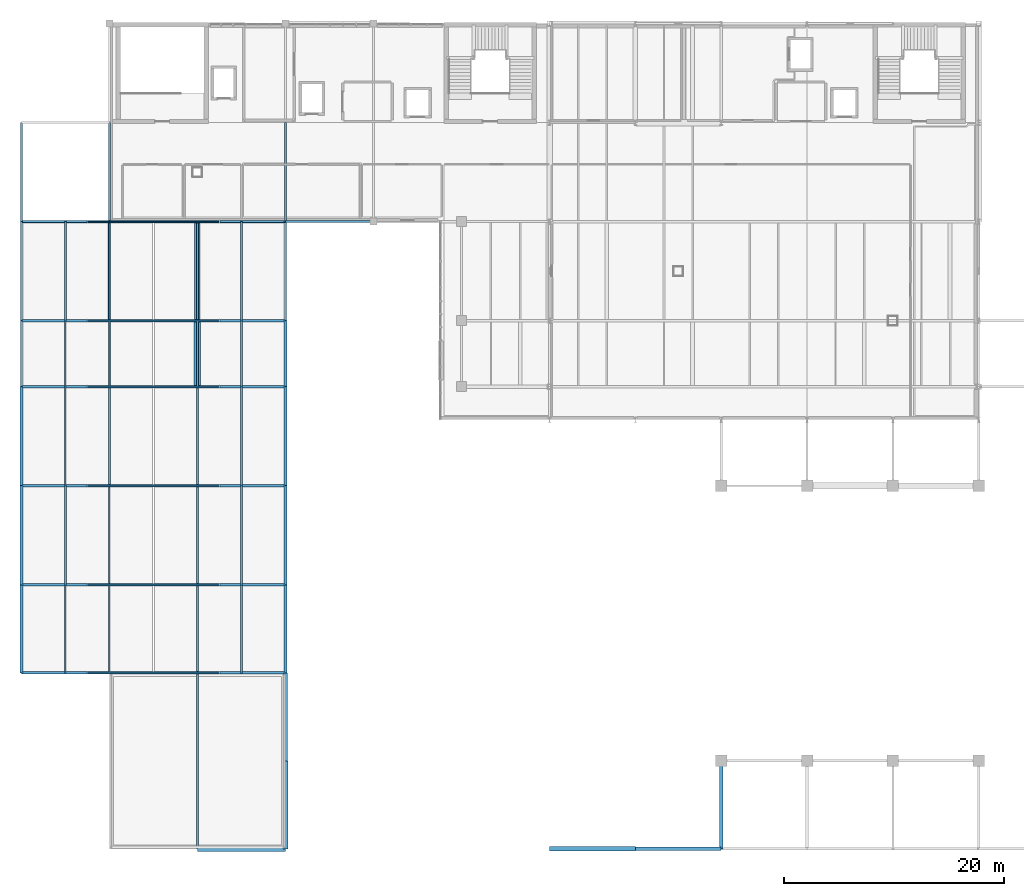
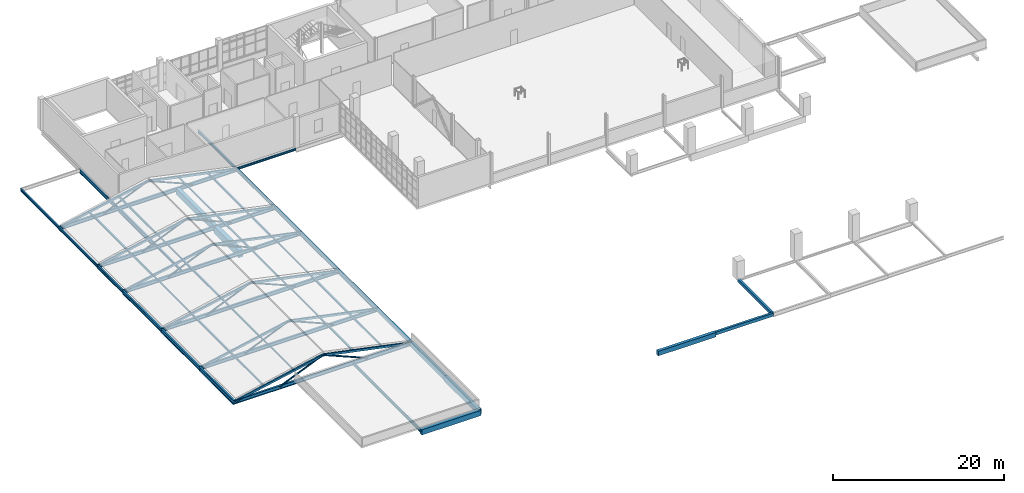
# One storey, part 8 of 38: 44 members, 31 beams.
"""IFC4 building model written with IfcOpenShell, lengths in metres."""

import ifcopenshell
import ifcopenshell.guid

model = None  # the IFC model being written
_history = None  # IfcOwnerHistory: only IFC2X3 demands one
_inside = {}  # id of a spatial element -> (the spatial element, [elements in it])
_under = {}  # id of a project, library or spatial element -> (it, [spatial elements below it])
_declared = {}  # id of a project -> (the project, [libraries it declares])
_typed = {}  # id of a type object -> (the type object, [elements of that type])
_made_of = {}  # id of a material, layer set ... -> (it, [elements and type objects made of it])


def new_model(schema):
    """Start an empty IFC model of exactly this schema.

    Asked for "IFC4X3", IfcOpenShell would pick the latest addendum, in which some entities
    have other attributes; the version numbers below select the first issue.
    IFC2X3 requires an IfcOwnerHistory on every rooted entity: one is made here for all.
    """
    global model, _history
    if schema == "IFC4X3":
        model = ifcopenshell.file(schema_version=(4, 3, 0, 0))
    else:
        model = ifcopenshell.file(schema=schema)
    _inside.clear()
    _under.clear()
    _declared.clear()
    _typed.clear()
    _made_of.clear()
    _history = None
    if model.schema == "IFC2X3":
        org = make("IfcOrganization", Name="unknown")
        user = make(
            "IfcPersonAndOrganization",
            ThePerson=make("IfcPerson", FamilyName="unknown"),
            TheOrganization=org,
        )
        app = make(
            "IfcApplication",
            ApplicationDeveloper=org,
            Version="unknown",
            ApplicationFullName="unknown",
            ApplicationIdentifier="unknown",
        )
        _history = make(
            "IfcOwnerHistory",
            OwningUser=user,
            OwningApplication=app,
            ChangeAction="ADDED",
            CreationDate=0,
        )
    return model


def make(cls, **values):
    """One entity of the class cls with the attributes given. An attribute that is None is left unset."""
    return model.create_entity(
        cls, **{name: value for name, value in values.items() if value is not None}
    )


def rooted(cls, **values):
    """An entity with a GlobalId (a new one), such as an element, a storey or a relation."""
    return make(cls, GlobalId=ifcopenshell.guid.new(), OwnerHistory=_history, **values)


def si_unit(unit_type, name, prefix=None):
    """IfcSIUnit, for example si_unit("LENGTHUNIT", "METRE", prefix="MILLI")."""
    return make("IfcSIUnit", UnitType=unit_type, Prefix=prefix, Name=name)


def derived_unit(unit_type, elements):
    """IfcDerivedUnit: a product of units, each with its exponent."""
    return make(
        "IfcDerivedUnit",
        Elements=[
            make("IfcDerivedUnitElement", Unit=unit, Exponent=power)
            for unit, power in elements
        ],
        UnitType=unit_type,
    )


def assignment(units):
    """IfcUnitAssignment: the units of a project."""
    return None if units is None else make("IfcUnitAssignment", Units=units)


def point(xyz):
    """IfcCartesianPoint."""
    return None if xyz is None else make("IfcCartesianPoint", Coordinates=xyz)


def direction(xyz):
    """IfcDirection."""
    return None if xyz is None else make("IfcDirection", DirectionRatios=xyz)


def frame(location, z_axis=None, x_axis=None):
    """IfcAxis2Placement3D, a coordinate frame: its origin and axes. An axis left out is left unset."""
    return make(
        "IfcAxis2Placement3D",
        Location=point(location),
        Axis=direction(z_axis),
        RefDirection=direction(x_axis),
    )


def frame_2d(location, x_axis=None):
    """IfcAxis2Placement2D, a coordinate frame in the plane: its origin and x axis."""
    return make(
        "IfcAxis2Placement2D", Location=point(location), RefDirection=direction(x_axis)
    )


def origin():
    """The frame at (0, 0, 0) with its axes left unset."""
    return frame((0.0, 0.0, 0.0))


def origin_2d():
    """The frame at (0, 0) in the plane with its x axis left unset."""
    return frame_2d((0.0, 0.0))


def place(relative_to, where):
    """IfcLocalPlacement: puts the frame where relative to a parent placement (None: the world)."""
    return make(
        "IfcLocalPlacement", PlacementRelTo=relative_to, RelativePlacement=where
    )


def context(
    kind, dimensions, precision=None, world=None, true_north=None, identifier=None
):
    """IfcGeometricRepresentationContext, for example the 3D "Model" context."""
    return make(
        "IfcGeometricRepresentationContext",
        ContextIdentifier=identifier,
        ContextType=kind,
        CoordinateSpaceDimension=dimensions,
        Precision=precision,
        WorldCoordinateSystem=world,
        TrueNorth=true_north,
    )


def subcontext(parent, identifier, kind, view, scale=None):
    """IfcGeometricRepresentationSubContext, for example "Body" below "Model"."""
    return make(
        "IfcGeometricRepresentationSubContext",
        ContextIdentifier=identifier,
        ContextType=kind,
        ParentContext=parent,
        TargetScale=scale,
        TargetView=view,
    )


def project(units=None, contexts=None):
    """IfcProject with its units and contexts."""
    return rooted(
        "IfcProject",
        Name="project",
        RepresentationContexts=contexts,
        UnitsInContext=assignment(units),
    )


def spatial(cls, under=None, at=None, **own):
    """A site, building, storey or space (cls), placed at a placement, below another one or the project."""
    s = rooted(cls, ObjectPlacement=at, **own)
    if under is not None:
        _under.setdefault(under.id(), (under, []))[1].append(s)
    return s


def profile(cls, at=None, kind="AREA", **sizes):
    """A parametric profile (cls). Its sizes go by their IFC names, for example OverallWidth=200.0."""
    return make(cls, ProfileType=kind, Position=at, **sizes)


def rectangle(**sizes):
    """IfcRectangleProfileDef."""
    return profile("IfcRectangleProfileDef", **sizes)


def hollow_rectangle(**sizes):
    """IfcRectangleHollowProfileDef."""
    return profile("IfcRectangleHollowProfileDef", **sizes)


def hollow_circle(**sizes):
    """IfcCircleHollowProfileDef."""
    return profile("IfcCircleHollowProfileDef", **sizes)


def i_section(**sizes):
    """IfcIShapeProfileDef."""
    return profile("IfcIShapeProfileDef", **sizes)


def extrude(swept, where, along, depth):
    """IfcExtrudedAreaSolid: the profile swept, set in the frame where, extruded along a direction by depth."""
    return make(
        "IfcExtrudedAreaSolid",
        SweptArea=swept,
        Position=where,
        ExtrudedDirection=direction(along),
        Depth=depth,
    )


def shape(context_of_items, identifier, shape_type, items):
    """IfcShapeRepresentation: the items that make up one representation, for example the "Body"."""
    return make(
        "IfcShapeRepresentation",
        ContextOfItems=context_of_items,
        RepresentationIdentifier=identifier,
        RepresentationType=shape_type,
        Items=items,
    )


def material(Name=None, Category=None):
    """IfcMaterial."""
    return make("IfcMaterial", Name=Name, Category=Category)


def material_profile(
    of_material, cross_section, Name=None, Category=None, Priority=None
):
    """IfcMaterialProfile: a cross section and its material."""
    return make(
        "IfcMaterialProfile",
        Name=Name,
        Material=of_material,
        Profile=cross_section,
        Priority=Priority,
        Category=Category,
    )


def profile_set(profiles, Name=None, composite=None):
    """IfcMaterialProfileSet."""
    return make(
        "IfcMaterialProfileSet",
        Name=Name,
        MaterialProfiles=profiles,
        CompositeProfile=composite,
    )


def made_of(thing, what):
    """Note that an element or type object is made of a material, layer set ...; save() writes the relation."""
    if what is not None:
        _made_of.setdefault(what.id(), (what, []))[1].append(thing)
    return thing


def type_object(cls, material=None, **own):
    """A type object (cls), such as IfcWallType, which elements share."""
    return made_of(rooted(cls, **own), material)


def element(
    cls,
    number,
    at=None,
    inside=None,
    cuts=None,
    type_object=None,
    material=None,
    context=None,
    identifier="Body",
    shape_type=None,
    held_by="IfcProductDefinitionShape",
    body=None,
    shapes=None,
    **own,
):
    """One element of the class cls, such as IfcWall. Its Tag is "e" and its number.

    at: its placement. inside: the storey or other place that contains it. cuts: it is an
    opening in that element (IfcRelVoidsElement). A single representation is given by context,
    identifier, shape_type and body (its items); several are given by shapes. held_by: the class
    of the entity that holds the representations. save() writes the other relations.
    """
    e = rooted(cls, Tag="e%d" % number, ObjectPlacement=at, **own)
    if body is not None:
        shapes = [shape(context, identifier, shape_type, body)]
    if shapes is not None:
        e.Representation = make(held_by, Representations=shapes)
    if inside is not None:
        _inside.setdefault(inside.id(), (inside, []))[1].append(e)
    if cuts is not None:
        rooted(
            "IfcRelVoidsElement", RelatingBuildingElement=cuts, RelatedOpeningElement=e
        )
    if type_object is not None:
        _typed.setdefault(type_object.id(), (type_object, []))[1].append(e)
    return made_of(e, material)


def aggregate(whole, parts):
    """IfcRelAggregates: a whole, such as a stair, and the parts it consists of."""
    return rooted("IfcRelAggregates", RelatingObject=whole, RelatedObjects=parts)


def save(model, path):
    """Write the relations noted so far, then the file.

    IfcRelAggregates (storeys below a building ...), IfcRelContainedInSpatialStructure (elements
    in a storey), IfcRelDefinesByType, IfcRelAssociatesMaterial and IfcRelDeclares: one each for
    every whole, place, type object, material and project.
    """
    for whole, parts in _under.values():
        aggregate(whole, parts)
    for where, things in _inside.values():
        rooted(
            "IfcRelContainedInSpatialStructure",
            RelatedElements=things,
            RelatingStructure=where,
        )
    for kind, things in _typed.values():
        rooted("IfcRelDefinesByType", RelatedObjects=things, RelatingType=kind)
    for what, things in _made_of.values():
        rooted("IfcRelAssociatesMaterial", RelatedObjects=things, RelatingMaterial=what)
    for by, libraries in _declared.values():
        rooted("IfcRelDeclares", RelatingContext=by, RelatedDefinitions=libraries)
    model.write(path)


model = new_model("IFC4")

# Units and contexts
model_context = context("Model", 3, precision=1e-05, world=origin(), true_north=direction((0.0, 1.0)))
body_context = subcontext(model_context, "Body", "Model", "MODEL_VIEW")
ifc_project = project(units=[si_unit("LENGTHUNIT", "METRE"), si_unit("AREAUNIT", "SQUARE_METRE"), si_unit("VOLUMEUNIT", "CUBIC_METRE"), si_unit("PLANEANGLEUNIT", "RADIAN"), si_unit("MASSUNIT", "GRAM", prefix="KILO"), derived_unit("THERMALTRANSMITTANCEUNIT", [(si_unit("POWERUNIT", "WATT"), 1), (si_unit("LENGTHUNIT", "METRE"), -2), (si_unit("THERMODYNAMICTEMPERATUREUNIT", "KELVIN"), -1)])], contexts=[model_context])

# Site, building, storey
site_placement = place(None, origin())
site = spatial("IfcSite", under=ifc_project, at=site_placement, CompositionType="ELEMENT")
building_placement = place(site_placement, origin())
building = spatial("IfcBuilding", under=site, at=building_placement, Name="Nallur Shell Playhouse", CompositionType="ELEMENT")
storey_placement = place(building_placement, frame((0.0, 0.0, 24.300048828125)))
storey = spatial("IfcBuildingStorey", under=building, at=storey_placement, Name="L06", CompositionType="ELEMENT", Elevation=24.300048828125)

# Beams
ifc_material_1 = material(Name="Concrete M35", Category="concrete")
ifc_material_profile_1 = material_profile(ifc_material_1, rectangle(XDim=0.39990234375, YDim=0.64990234375, at=origin_2d()), Name="RC 400x650")
ifc_profile_set_1 = profile_set([ifc_material_profile_1], Name="Concrete M35")
beam_type_1 = type_object("IfcBeamType", Name="BM-RC-400x650", PredefinedType="BEAM", material=ifc_profile_set_1)
beam_1_placement = place(storey_placement, frame((64.0, 8.0, -0.574951171875), z_axis=(1.0, 0.0, 0.0), x_axis=(0.0, 1.0, 0.0)))
element("IfcBeam", 1, at=beam_1_placement, inside=storey, type_object=beam_type_1, Name="L06 girder X-A-1119", PredefinedType="BEAM", context=body_context, shape_type="SweptSolid", body=[
    extrude(rectangle(XDim=0.39990234375, YDim=0.64990234375, at=origin_2d()), origin(), (0.0, 0.0, 1.0), 7.800048828125),
])
beam_2_placement = place(storey_placement, frame((40.0, 16.0, -0.574951171875), z_axis=(0.0, 1.0, 0.0), x_axis=(-1.0, 0.0, 0.0)))
element("IfcBeam", 2, at=beam_2_placement, inside=storey, type_object=beam_type_1, Name="L06 girder Y-5-1167", PredefinedType="BEAM", context=body_context, shape_type="SweptSolid", body=[
    extrude(rectangle(XDim=0.39990234375, YDim=0.64990234375, at=origin_2d()), origin(), (0.0, 0.0, 1.0), 8.0),
])
ifc_material_profile_2 = material_profile(ifc_material_1, rectangle(XDim=0.449951171875, YDim=0.75, at=origin_2d()), Name="RC 450x750")
ifc_profile_set_2 = profile_set([ifc_material_profile_2], Name="Concrete M35")
beam_type_2 = type_object("IfcBeamType", Name="BM-RC-450x750", PredefinedType="BEAM", material=ifc_profile_set_2)
for number, where, z_axis, x_axis, name in (
    (3, (32.0, 8.0, -0.625), (1.0, 0.0, 0.0), (0.0, 1.0, 0.0), "L06 girder X-A-1118"),
    (4, (40.0, 8.0, -0.625), (0.0, 1.0, 0.0), (-1.0, 0.0, 0.0), "L06 girder Y-5-1166"),
):
    element("IfcBeam", number, at=place(storey_placement, frame(where, z_axis=z_axis, x_axis=x_axis)), inside=storey, type_object=beam_type_2, Name=name, PredefinedType="BEAM", context=body_context, shape_type="SweptSolid", body=[
        extrude(rectangle(XDim=0.449951171875, YDim=0.75, at=origin_2d()), origin(), (0.0, 0.0, 1.0), 8.0),
    ])
ifc_material_2 = material(Name="Concrete M40", Category="concrete")
ifc_material_profile_3 = material_profile(ifc_material_2, rectangle(XDim=0.5, YDim=0.85009765625, at=origin_2d()), Name="RC 500x850")
ifc_profile_set_3 = profile_set([ifc_material_profile_3], Name="Concrete M40")
beam_type_3 = type_object("IfcBeamType", Name="BM-RC-500x850", PredefinedType="BEAM", material=ifc_profile_set_3)
beam_3_placement = place(storey_placement, frame((32.0, 56.123046875, -0.675048828125), z_axis=(0.0, 1.0, 0.0), x_axis=(-1.0, 0.0, 0.0)))
element("IfcBeam", 5, at=beam_3_placement, inside=storey, type_object=beam_type_3, Name="L06 girder Y-4-1165", PredefinedType="BEAM", context=body_context, shape_type="SweptSolid", body=[
    extrude(rectangle(XDim=0.5, YDim=0.85009765625, at=origin_2d()), origin(), (0.0, 0.0, 1.0), 8.75390625),
])
ifc_material_profile_4 = material_profile(ifc_material_2, rectangle(XDim=0.60009765625, YDim=1.0, at=origin_2d()), Name="RC 600x1000")
ifc_profile_set_4 = profile_set([ifc_material_profile_4], Name="Concrete M40")
beam_type_4 = type_object("IfcBeamType", Name="BM-RC-600x1000", PredefinedType="BEAM", material=ifc_profile_set_4)
beam_4_placement = place(storey_placement, frame((32.0, 50.123046875, -0.75), z_axis=(0.0, 1.0, 0.0), x_axis=(-1.0, 0.0, 0.0)))
element("IfcBeam", 6, at=beam_4_placement, inside=storey, type_object=beam_type_4, Name="L06 girder Y-4-1164", PredefinedType="BEAM", context=body_context, shape_type="SweptSolid", body=[
    extrude(rectangle(XDim=0.60009765625, YDim=1.0, at=origin_2d()), origin(), (0.0, 0.0, 1.0), 5.75390625),
])
ifc_material_profile_5 = material_profile(ifc_material_1, rectangle(XDim=0.300048828125, YDim=0.449951171875, at=origin_2d()), Name="RC 300x450")
ifc_profile_set_5 = profile_set([ifc_material_profile_5], Name="Concrete M35")
beam_type_5 = type_object("IfcBeamType", Name="BM-SPN-300x450", PredefinedType="SPANDREL", material=ifc_profile_set_5)
beam_5_placement = place(storey_placement, frame((71.800048828125, 8.0, -0.47509765625), z_axis=(1.0, 0.0, 0.0), x_axis=(0.0, 1.0, 0.0)))
element("IfcBeam", 7, at=beam_5_placement, inside=storey, type_object=beam_type_5, Name="L06 girder X-A-1120", PredefinedType="SPANDREL", context=body_context, shape_type="SweptSolid", body=[
    extrude(rectangle(XDim=0.300048828125, YDim=0.449951171875, at=origin_2d()), origin(), (0.0, 0.0, 1.0), 7.800048828125),
])
for number, where, z_axis, x_axis, name in (
    (8, (40.0, 24.0, -0.47509765625), (0.0, 1.0, 0.0), (-1.0, 0.0, 0.0), "L06 girder Y-5-1168"),
    (9, (79.60009765625, 8.0, -0.47509765625), (0.0, 1.0, 0.0), (-1.0, 0.0, 0.0), "L06 girder Y-10-1184"),
):
    element("IfcBeam", number, at=place(storey_placement, frame(where, z_axis=z_axis, x_axis=x_axis)), inside=storey, type_object=beam_type_5, Name=name, PredefinedType="SPANDREL", context=body_context, shape_type="SweptSolid", body=[
        extrude(rectangle(XDim=0.300048828125, YDim=0.449951171875, at=origin_2d()), origin(), (0.0, 0.0, 1.0), 8.0),
    ])
ifc_material_3 = material(Name="Steel E350", Category="steel")
ifc_material_profile_6 = material_profile(ifc_material_3, i_section(OverallWidth=0.14990234375, OverallDepth=0.449951171875, WebThickness=0.009521484375, FlangeThickness=0.017333984375, FilletRadius=0.014892578125, at=origin_2d()), Name="ISMB 450")
ifc_profile_set_6 = profile_set([ifc_material_profile_6], Name="Steel E350")
beam_type_6 = type_object("IfcBeamType", Name="BM-ST-ISMB450", PredefinedType="BEAM", material=ifc_profile_set_6)
beam_6_placement = place(storey_placement, frame((32.0, 8.0, -0.47509765625), z_axis=(0.0, 1.0, 0.0), x_axis=(-1.0, 0.0, 0.0)))
element("IfcBeam", 10, at=beam_6_placement, inside=storey, type_object=beam_type_6, Name="L06 girder Y-4-1163", PredefinedType="BEAM", context=body_context, shape_type="SweptSolid", body=[
    extrude(i_section(OverallWidth=0.14990234375, OverallDepth=0.449951171875, WebThickness=0.009521484375, FlangeThickness=0.017333984375, FilletRadius=0.014892578125, at=origin_2d()), origin(), (0.0, 0.0, 1.0), 15.876953125),
])
ifc_material_profile_7 = material_profile(ifc_material_3, i_section(OverallWidth=0.18994140625, OverallDepth=0.550048828125, WebThickness=0.01123046875, FlangeThickness=0.019287109375, FilletRadius=0.01806640625, at=origin_2d()), Name="ISMB 550")
ifc_profile_set_7 = profile_set([ifc_material_profile_7], Name="Steel E350")
beam_type_7 = type_object("IfcBeamType", Name="BM-ST-ISMB550", PredefinedType="BEAM", material=ifc_profile_set_7)
beam_7_placement = place(storey_placement, frame((24.0, 65.123046875, -0.525146484375), z_axis=(0.0, 1.0, 0.0), x_axis=(-1.0, 0.0, 0.0)))
element("IfcBeam", 11, at=beam_7_placement, inside=storey, type_object=beam_type_7, Name="L06 girder Y-3-1161", PredefinedType="BEAM", context=body_context, shape_type="SweptSolid", body=[
    extrude(i_section(OverallWidth=0.18994140625, OverallDepth=0.550048828125, WebThickness=0.01123046875, FlangeThickness=0.019287109375, FilletRadius=0.01806640625, at=origin_2d()), origin(), (0.0, 0.0, 1.0), 8.876953125),
])
ifc_material_profile_8 = material_profile(ifc_material_3, i_section(OverallWidth=0.2099609375, OverallDepth=0.60009765625, WebThickness=0.011962890625, FlangeThickness=0.020751953125, FilletRadius=0.02001953125, at=origin_2d()), Name="ISMB 600")
ifc_profile_set_8 = profile_set([ifc_material_profile_8], Name="Steel E350")
beam_type_8 = type_object("IfcBeamType", Name="BM-ST-ISMB600", PredefinedType="BEAM", material=ifc_profile_set_8)
beam_8_placement = place(storey_placement, frame((24.0, 56.123046875, -0.550048828125), z_axis=(0.0, 1.0, 0.0), x_axis=(-1.0, 0.0, 0.0)))
element("IfcBeam", 12, at=beam_8_placement, inside=storey, type_object=beam_type_8, Name="L06 girder Y-3-1160", PredefinedType="BEAM", context=body_context, shape_type="SweptSolid", body=[
    extrude(i_section(OverallWidth=0.2099609375, OverallDepth=0.60009765625, WebThickness=0.011962890625, FlangeThickness=0.020751953125, FilletRadius=0.02001953125, at=origin_2d()), origin(), (0.0, 0.0, 1.0), 8.75390625),
])
ifc_material_4 = material(Name="Steel E250", Category="steel")
ifc_material_profile_9 = material_profile(ifc_material_4, i_section(OverallWidth=0.199951171875, OverallDepth=0.300048828125, WebThickness=0.00732421875, FlangeThickness=0.010009765625, FilletRadius=0.010986328125, at=origin_2d()), Name="ISWB 300")
ifc_profile_set_9 = profile_set([ifc_material_profile_9], Name="Steel E250")
beam_type_9 = type_object("IfcBeamType", Name="BM-ST-ISWB300", PredefinedType="BEAM", material=ifc_profile_set_9)
beam_9_placement = place(storey_placement, frame((40.0, 65.0, -0.400146484375), z_axis=(1.0, 0.0, 0.0), x_axis=(0.0, 1.0, 0.0)))
element("IfcBeam", 13, at=beam_9_placement, inside=storey, type_object=beam_type_9, Name="L06 girder X-H-1143", PredefinedType="BEAM", context=body_context, shape_type="SweptSolid", body=[
    extrude(i_section(OverallWidth=0.199951171875, OverallDepth=0.300048828125, WebThickness=0.00732421875, FlangeThickness=0.010009765625, FilletRadius=0.010986328125, at=origin_2d()), origin(), (0.0, 0.0, 1.0), 8.0),
])
beam_10_placement = place(storey_placement, frame((24.0, 50.123046875, -0.400146484375), z_axis=(0.0, 1.0, 0.0), x_axis=(-1.0, 0.0, 0.0)))
element("IfcBeam", 14, at=beam_10_placement, inside=storey, type_object=beam_type_9, Name="L06 girder Y-3-1159", PredefinedType="BEAM", context=body_context, shape_type="SweptSolid", body=[
    extrude(i_section(OverallWidth=0.199951171875, OverallDepth=0.300048828125, WebThickness=0.00732421875, FlangeThickness=0.010009765625, FilletRadius=0.010986328125, at=origin_2d()), origin(), (0.0, 0.0, 1.0), 5.75390625),
])
ifc_material_profile_10 = material_profile(ifc_material_3, i_section(OverallWidth=0.199951171875, OverallDepth=0.35009765625, WebThickness=0.008056640625, FlangeThickness=0.011474609375, FilletRadius=0.011962890625, at=origin_2d()), Name="ISWB 350")
ifc_profile_set_10 = profile_set([ifc_material_profile_10], Name="Steel E350")
beam_type_10 = type_object("IfcBeamType", Name="BM-ST-ISWB350", PredefinedType="BEAM", material=ifc_profile_set_10)
beam_11_placement = place(storey_placement, frame((16.0, 65.0, -0.425048828125), z_axis=(0.0, 1.0, 0.0), x_axis=(-1.0, 0.0, 0.0)))
element("IfcBeam", 15, at=beam_11_placement, inside=storey, type_object=beam_type_10, Name="L06 girder Y-2-1158", PredefinedType="BEAM", context=body_context, shape_type="SweptSolid", body=[
    extrude(i_section(OverallWidth=0.199951171875, OverallDepth=0.35009765625, WebThickness=0.008056640625, FlangeThickness=0.011474609375, FilletRadius=0.011962890625, at=origin_2d()), origin(), (0.0, 0.0, 1.0), 9.0),
])
ifc_material_profile_11 = material_profile(ifc_material_3, i_section(OverallWidth=0.199951171875, OverallDepth=0.39990234375, WebThickness=0.008544921875, FlangeThickness=0.012939453125, FilletRadius=0.012939453125, at=origin_2d()), Name="ISWB 400")
ifc_profile_set_11 = profile_set([ifc_material_profile_11], Name="Steel E350")
beam_type_11 = type_object("IfcBeamType", Name="BM-ST-ISWB400", PredefinedType="BEAM", material=ifc_profile_set_11)
for number, where, z_axis, x_axis, name in (
    (16, (16.0, 56.0, -0.449951171875), (0.0, 1.0, 0.0), (-1.0, 0.0, 0.0), "L06 girder Y-2-1157"),
    (17, (40.0, 65.0, -0.449951171875), (0.0, 1.0, 0.0), (-1.0, 0.0, 0.0), "L06 girder Y-5-1173"),
):
    element("IfcBeam", number, at=place(storey_placement, frame(where, z_axis=z_axis, x_axis=x_axis)), inside=storey, type_object=beam_type_11, Name=name, PredefinedType="BEAM", context=body_context, shape_type="SweptSolid", body=[
        extrude(i_section(OverallWidth=0.199951171875, OverallDepth=0.39990234375, WebThickness=0.008544921875, FlangeThickness=0.012939453125, FilletRadius=0.012939453125, at=origin_2d()), origin(), (0.0, 0.0, 1.0), 9.0),
    ])
ifc_material_profile_12 = material_profile(ifc_material_3, i_section(OverallWidth=0.199951171875, OverallDepth=0.449951171875, WebThickness=0.00927734375, FlangeThickness=0.015380859375, FilletRadius=0.013916015625, at=origin_2d()), Name="ISWB 450")
ifc_profile_set_12 = profile_set([ifc_material_profile_12], Name="Steel E350")
beam_type_12 = type_object("IfcBeamType", Name="BM-ST-ISWB450", PredefinedType="BEAM", material=ifc_profile_set_12)
beam_12_placement = place(storey_placement, frame((16.0, 50.0, -0.47509765625), z_axis=(0.0, 1.0, 0.0), x_axis=(-1.0, 0.0, 0.0)))
element("IfcBeam", 18, at=beam_12_placement, inside=storey, type_object=beam_type_12, Name="L06 girder Y-2-1156", PredefinedType="BEAM", context=body_context, shape_type="SweptSolid", body=[
    extrude(i_section(OverallWidth=0.199951171875, OverallDepth=0.449951171875, WebThickness=0.00927734375, FlangeThickness=0.015380859375, FilletRadius=0.013916015625, at=origin_2d()), origin(), (0.0, 0.0, 1.0), 6.0),
])
beam_13_placement = place(storey_placement, frame((40.0, 56.0, -0.47509765625), z_axis=(0.0, 1.0, 0.0), x_axis=(-1.0, 0.0, 0.0)))
element("IfcBeam", 19, at=beam_13_placement, inside=storey, type_object=beam_type_12, Name="L06 girder Y-5-1172", PredefinedType="BEAM", context=body_context, shape_type="SweptSolid", body=[
    extrude(i_section(OverallWidth=0.199951171875, OverallDepth=0.449951171875, WebThickness=0.00927734375, FlangeThickness=0.015380859375, FilletRadius=0.013916015625, at=origin_2d()), origin(), (0.0, 0.0, 1.0), 9.0),
])
ifc_material_profile_13 = material_profile(ifc_material_3, i_section(OverallWidth=0.25, OverallDepth=0.5, WebThickness=0.010009765625, FlangeThickness=0.0146484375, FilletRadius=0.014892578125, at=origin_2d()), Name="ISWB 500")
ifc_profile_set_13 = profile_set([ifc_material_profile_13], Name="Steel E350")
beam_type_13 = type_object("IfcBeamType", Name="BM-ST-ISWB500", PredefinedType="BEAM", material=ifc_profile_set_13)
for number, where, z_axis, x_axis, name in (
    (20, (16.0, 24.0, -0.5), (1.0, 0.0, 0.0), (0.0, 1.0, 0.0), "ROOF TRUSS Black-Box tie girder Y=24.0 (16.0-40.0)"),
    (21, (16.0, 32.0, -0.5), (1.0, 0.0, 0.0), (0.0, 1.0, 0.0), "ROOF TRUSS Black-Box tie girder Y=32.0 (16.0-40.0)"),
    (22, (16.0, 41.0, -0.5), (1.0, 0.0, 0.0), (0.0, 1.0, 0.0), "ROOF TRUSS Black-Box tie girder Y=41.0 (16.0-40.0)"),
    (23, (16.0, 50.0, -0.5), (1.0, 0.0, 0.0), (0.0, 1.0, 0.0), "ROOF TRUSS Black-Box tie girder Y=50.0 (16.0-40.0)"),
    (24, (16.0, 56.0, -0.5), (1.0, 0.0, 0.0), (0.0, 1.0, 0.0), "ROOF TRUSS Black-Box tie girder Y=56.0 (16.0-40.0)"),
    (25, (16.0, 65.0, -0.5), (1.0, 0.0, 0.0), (0.0, 1.0, 0.0), "ROOF TRUSS Black-Box tie girder Y=65.0 (16.0-40.0)"),
):
    element("IfcBeam", number, at=place(storey_placement, frame(where, z_axis=z_axis, x_axis=x_axis)), inside=storey, type_object=beam_type_13, Name=name, PredefinedType="BEAM", context=body_context, shape_type="SweptSolid", body=[
        extrude(i_section(OverallWidth=0.25, OverallDepth=0.5, WebThickness=0.010009765625, FlangeThickness=0.0146484375, FilletRadius=0.014892578125, at=origin_2d()), origin(), (0.0, 0.0, 1.0), 24.0),
    ])
beam_14_placement = place(storey_placement, frame((16.0, 41.0, -0.5), z_axis=(0.0, 1.0, 0.0), x_axis=(-1.0, 0.0, 0.0)))
element("IfcBeam", 26, at=beam_14_placement, inside=storey, type_object=beam_type_13, Name="L06 girder Y-2-1155", PredefinedType="BEAM", context=body_context, shape_type="SweptSolid", body=[
    extrude(i_section(OverallWidth=0.25, OverallDepth=0.5, WebThickness=0.010009765625, FlangeThickness=0.0146484375, FilletRadius=0.014892578125, at=origin_2d()), origin(), (0.0, 0.0, 1.0), 9.0),
])
beam_15_placement = place(storey_placement, frame((40.0, 50.0, -0.5), z_axis=(0.0, 1.0, 0.0), x_axis=(-1.0, 0.0, 0.0)))
element("IfcBeam", 27, at=beam_15_placement, inside=storey, type_object=beam_type_13, Name="L06 girder Y-5-1171", PredefinedType="BEAM", context=body_context, shape_type="SweptSolid", body=[
    extrude(i_section(OverallWidth=0.25, OverallDepth=0.5, WebThickness=0.010009765625, FlangeThickness=0.0146484375, FilletRadius=0.014892578125, at=origin_2d()), origin(), (0.0, 0.0, 1.0), 6.0),
])
ifc_material_profile_14 = material_profile(ifc_material_3, i_section(OverallWidth=0.25, OverallDepth=0.550048828125, WebThickness=0.010498046875, FlangeThickness=0.017578125, FilletRadius=0.01611328125, at=origin_2d()), Name="ISWB 550")
ifc_profile_set_14 = profile_set([ifc_material_profile_14], Name="Steel E350")
beam_type_14 = type_object("IfcBeamType", Name="BM-ST-ISWB550", PredefinedType="BEAM", material=ifc_profile_set_14)
for number, where, z_axis, x_axis, name in (
    (28, (16.0, 32.0, -0.525146484375), (0.0, 1.0, 0.0), (-1.0, 0.0, 0.0), "L06 girder Y-2-1154"),
    (29, (40.0, 41.0, -0.525146484375), (0.0, 1.0, 0.0), (-1.0, 0.0, 0.0), "L06 girder Y-5-1170"),
):
    element("IfcBeam", number, at=place(storey_placement, frame(where, z_axis=z_axis, x_axis=x_axis)), inside=storey, type_object=beam_type_14, Name=name, PredefinedType="BEAM", context=body_context, shape_type="SweptSolid", body=[
        extrude(i_section(OverallWidth=0.25, OverallDepth=0.550048828125, WebThickness=0.010498046875, FlangeThickness=0.017578125, FilletRadius=0.01611328125, at=origin_2d()), origin(), (0.0, 0.0, 1.0), 9.0),
    ])
ifc_material_profile_15 = material_profile(ifc_material_3, i_section(OverallWidth=0.25, OverallDepth=0.60009765625, WebThickness=0.01171875, FlangeThickness=0.023681640625, FilletRadius=0.01708984375, at=origin_2d()), Name="ISWB 600")
ifc_profile_set_15 = profile_set([ifc_material_profile_15], Name="Steel E350")
beam_type_15 = type_object("IfcBeamType", Name="BM-ST-ISWB600", PredefinedType="BEAM", material=ifc_profile_set_15)
beam_16_placement = place(storey_placement, frame((16.0, 24.0, -0.550048828125), z_axis=(0.0, 1.0, 0.0), x_axis=(-1.0, 0.0, 0.0)))
element("IfcBeam", 30, at=beam_16_placement, inside=storey, type_object=beam_type_15, Name="L06 girder Y-2-1153", PredefinedType="BEAM", context=body_context, shape_type="SweptSolid", body=[
    extrude(i_section(OverallWidth=0.25, OverallDepth=0.60009765625, WebThickness=0.01171875, FlangeThickness=0.023681640625, FilletRadius=0.01708984375, at=origin_2d()), origin(), (0.0, 0.0, 1.0), 8.0),
])
beam_17_placement = place(storey_placement, frame((40.0, 32.0, -0.550048828125), z_axis=(0.0, 1.0, 0.0), x_axis=(-1.0, 0.0, 0.0)))
element("IfcBeam", 31, at=beam_17_placement, inside=storey, type_object=beam_type_15, Name="L06 girder Y-5-1169", PredefinedType="BEAM", context=body_context, shape_type="SweptSolid", body=[
    extrude(i_section(OverallWidth=0.25, OverallDepth=0.60009765625, WebThickness=0.01171875, FlangeThickness=0.023681640625, FilletRadius=0.01708984375, at=origin_2d()), origin(), (0.0, 0.0, 1.0), 9.0),
])

# Members
ifc_material_profile_16 = material_profile(ifc_material_4, i_section(OverallWidth=0.199951171875, OverallDepth=0.199951171875, WebThickness=0.0078125, FlangeThickness=0.009033203125, FilletRadius=0.009033203125, at=origin_2d()), Name="ISHB 200")
ifc_profile_set_16 = profile_set([ifc_material_profile_16], Name="Steel E250")
member_type_1 = type_object("IfcMemberType", Name="MB-PUR-ISHB200", PredefinedType="PURLIN", material=ifc_profile_set_16)
for number, where, z_axis, x_axis, name in (
    (32, (20.0, 32.0, 0.483154296875), (0.0, 1.0, 0.0), (-1.0, 0.0, 0.0), "Black-Box roof purlin PUR-BB-08"),
    (33, (20.0, 56.0, 0.483154296875), (0.0, 1.0, 0.0), (-1.0, 0.0, 0.0), "Black-Box roof purlin PUR-BB-11"),
    (34, (24.0, 41.0, 1.33349609375), (0.0, 1.0, 0.0), (-1.0, 0.0, 0.0), "Black-Box roof purlin PUR-BB-14"),
):
    element("IfcMember", number, at=place(storey_placement, frame(where, z_axis=z_axis, x_axis=x_axis)), inside=storey, type_object=member_type_1, Name=name, PredefinedType="PURLIN", context=body_context, shape_type="SweptSolid", body=[
        extrude(i_section(OverallWidth=0.199951171875, OverallDepth=0.199951171875, WebThickness=0.0078125, FlangeThickness=0.009033203125, FilletRadius=0.009033203125, at=origin_2d()), origin(), (0.0, 0.0, 1.0), 9.0),
    ])
member_1_placement = place(storey_placement, frame((32.0, 24.0, 1.33349609375), z_axis=(0.0, 1.0, 0.0), x_axis=(-1.0, 0.0, 0.0)))
element("IfcMember", 35, at=member_1_placement, inside=storey, type_object=member_type_1, Name="Black-Box roof purlin PUR-BB-17", PredefinedType="PURLIN", context=body_context, shape_type="SweptSolid", body=[
    extrude(i_section(OverallWidth=0.199951171875, OverallDepth=0.199951171875, WebThickness=0.0078125, FlangeThickness=0.009033203125, FilletRadius=0.009033203125, at=origin_2d()), origin(), (0.0, 0.0, 1.0), 8.0),
])
member_2_placement = place(storey_placement, frame((32.0, 50.0, 1.33349609375), z_axis=(0.0, 1.0, 0.0), x_axis=(-1.0, 0.0, 0.0)))
element("IfcMember", 36, at=member_2_placement, inside=storey, type_object=member_type_1, Name="Black-Box roof purlin PUR-BB-20", PredefinedType="PURLIN", context=body_context, shape_type="SweptSolid", body=[
    extrude(i_section(OverallWidth=0.199951171875, OverallDepth=0.199951171875, WebThickness=0.0078125, FlangeThickness=0.009033203125, FilletRadius=0.009033203125, at=origin_2d()), origin(), (0.0, 0.0, 1.0), 6.0),
])
for number, where, z_axis, x_axis, name in (
    (37, (36.0, 32.0, 0.483154296875), (0.0, 1.0, 0.0), (-1.0, 0.0, 0.0), "Black-Box roof purlin PUR-BB-23"),
    (38, (36.0, 56.0, 0.483154296875), (0.0, 1.0, 0.0), (-1.0, 0.0, 0.0), "Black-Box roof purlin PUR-BB-26"),
):
    element("IfcMember", number, at=place(storey_placement, frame(where, z_axis=z_axis, x_axis=x_axis)), inside=storey, type_object=member_type_1, Name=name, PredefinedType="PURLIN", context=body_context, shape_type="SweptSolid", body=[
        extrude(i_section(OverallWidth=0.199951171875, OverallDepth=0.199951171875, WebThickness=0.0078125, FlangeThickness=0.009033203125, FilletRadius=0.009033203125, at=origin_2d()), origin(), (0.0, 0.0, 1.0), 9.0),
    ])
ifc_material_profile_17 = material_profile(ifc_material_4, hollow_rectangle(XDim=0.14990234375, YDim=0.25, WallThickness=0.010009765625, at=origin_2d()), Name="RHS 250x150x10")
ifc_profile_set_17 = profile_set([ifc_material_profile_17], Name="Steel E250")
member_type_2 = type_object("IfcMemberType", Name="MB-PUR-RHS250", PredefinedType="PURLIN", material=ifc_profile_set_17)
member_3_placement = place(storey_placement, frame((20.0, 24.0, 0.458251953125), z_axis=(0.0, 1.0, 0.0), x_axis=(-1.0, 0.0, 0.0)))
element("IfcMember", 39, at=member_3_placement, inside=storey, type_object=member_type_2, Name="Black-Box roof purlin PUR-BB-07", PredefinedType="PURLIN", context=body_context, shape_type="SweptSolid", body=[
    extrude(hollow_rectangle(XDim=0.14990234375, YDim=0.25, WallThickness=0.010009765625, at=origin_2d()), origin(), (0.0, 0.0, 1.0), 8.0),
])
member_4_placement = place(storey_placement, frame((20.0, 50.0, 0.458251953125), z_axis=(0.0, 1.0, 0.0), x_axis=(-1.0, 0.0, 0.0)))
element("IfcMember", 40, at=member_4_placement, inside=storey, type_object=member_type_2, Name="Black-Box roof purlin PUR-BB-10", PredefinedType="PURLIN", context=body_context, shape_type="SweptSolid", body=[
    extrude(hollow_rectangle(XDim=0.14990234375, YDim=0.25, WallThickness=0.010009765625, at=origin_2d()), origin(), (0.0, 0.0, 1.0), 6.0),
])
for number, where, z_axis, x_axis, name in (
    (41, (24.0, 32.0, 1.30859375), (0.0, 1.0, 0.0), (-1.0, 0.0, 0.0), "Black-Box roof purlin PUR-BB-13"),
    (42, (24.0, 56.0, 1.30859375), (0.0, 1.0, 0.0), (-1.0, 0.0, 0.0), "Black-Box roof purlin PUR-BB-16"),
    (43, (32.0, 41.0, 1.30859375), (0.0, 1.0, 0.0), (-1.0, 0.0, 0.0), "Black-Box roof purlin PUR-BB-19"),
):
    element("IfcMember", number, at=place(storey_placement, frame(where, z_axis=z_axis, x_axis=x_axis)), inside=storey, type_object=member_type_2, Name=name, PredefinedType="PURLIN", context=body_context, shape_type="SweptSolid", body=[
        extrude(hollow_rectangle(XDim=0.14990234375, YDim=0.25, WallThickness=0.010009765625, at=origin_2d()), origin(), (0.0, 0.0, 1.0), 9.0),
    ])
member_5_placement = place(storey_placement, frame((36.0, 24.0, 0.458251953125), z_axis=(0.0, 1.0, 0.0), x_axis=(-1.0, 0.0, 0.0)))
element("IfcMember", 44, at=member_5_placement, inside=storey, type_object=member_type_2, Name="Black-Box roof purlin PUR-BB-22", PredefinedType="PURLIN", context=body_context, shape_type="SweptSolid", body=[
    extrude(hollow_rectangle(XDim=0.14990234375, YDim=0.25, WallThickness=0.010009765625, at=origin_2d()), origin(), (0.0, 0.0, 1.0), 8.0),
])
member_6_placement = place(storey_placement, frame((36.0, 50.0, 0.458251953125), z_axis=(0.0, 1.0, 0.0), x_axis=(-1.0, 0.0, 0.0)))
element("IfcMember", 45, at=member_6_placement, inside=storey, type_object=member_type_2, Name="Black-Box roof purlin PUR-BB-25", PredefinedType="PURLIN", context=body_context, shape_type="SweptSolid", body=[
    extrude(hollow_rectangle(XDim=0.14990234375, YDim=0.25, WallThickness=0.010009765625, at=origin_2d()), origin(), (0.0, 0.0, 1.0), 6.0),
])
ifc_material_profile_18 = material_profile(ifc_material_4, hollow_rectangle(XDim=0.14990234375, YDim=0.14990234375, WallThickness=0.008056640625, at=origin_2d()), Name="SHS 150x150x8")
ifc_profile_set_18 = profile_set([ifc_material_profile_18], Name="Steel E250")
member_type_3 = type_object("IfcMemberType", Name="MB-PUR-SHS150", PredefinedType="PURLIN", material=ifc_profile_set_18)
member_7_placement = place(storey_placement, frame((20.0, 41.0, 0.50830078125), z_axis=(0.0, 1.0, 0.0), x_axis=(-1.0, 0.0, 0.0)))
element("IfcMember", 46, at=member_7_placement, inside=storey, type_object=member_type_3, Name="Black-Box roof purlin PUR-BB-09", PredefinedType="PURLIN", context=body_context, shape_type="SweptSolid", body=[
    extrude(hollow_rectangle(XDim=0.14990234375, YDim=0.14990234375, WallThickness=0.008056640625, at=origin_2d()), origin(), (0.0, 0.0, 1.0), 9.0),
])
member_8_placement = place(storey_placement, frame((24.0, 24.0, 1.358642578125), z_axis=(0.0, 1.0, 0.0), x_axis=(-1.0, 0.0, 0.0)))
element("IfcMember", 47, at=member_8_placement, inside=storey, type_object=member_type_3, Name="Black-Box roof purlin PUR-BB-12", PredefinedType="PURLIN", context=body_context, shape_type="SweptSolid", body=[
    extrude(hollow_rectangle(XDim=0.14990234375, YDim=0.14990234375, WallThickness=0.008056640625, at=origin_2d()), origin(), (0.0, 0.0, 1.0), 8.0),
])
member_9_placement = place(storey_placement, frame((24.0, 50.0, 1.358642578125), z_axis=(0.0, 1.0, 0.0), x_axis=(-1.0, 0.0, 0.0)))
element("IfcMember", 48, at=member_9_placement, inside=storey, type_object=member_type_3, Name="Black-Box roof purlin PUR-BB-15", PredefinedType="PURLIN", context=body_context, shape_type="SweptSolid", body=[
    extrude(hollow_rectangle(XDim=0.14990234375, YDim=0.14990234375, WallThickness=0.008056640625, at=origin_2d()), origin(), (0.0, 0.0, 1.0), 6.0),
])
for number, where, z_axis, x_axis, name in (
    (49, (32.0, 32.0, 1.358642578125), (0.0, 1.0, 0.0), (-1.0, 0.0, 0.0), "Black-Box roof purlin PUR-BB-18"),
    (50, (32.0, 56.0, 1.358642578125), (0.0, 1.0, 0.0), (-1.0, 0.0, 0.0), "Black-Box roof purlin PUR-BB-21"),
    (51, (36.0, 41.0, 0.50830078125), (0.0, 1.0, 0.0), (-1.0, 0.0, 0.0), "Black-Box roof purlin PUR-BB-24"),
):
    element("IfcMember", number, at=place(storey_placement, frame(where, z_axis=z_axis, x_axis=x_axis)), inside=storey, type_object=member_type_3, Name=name, PredefinedType="PURLIN", context=body_context, shape_type="SweptSolid", body=[
        extrude(hollow_rectangle(XDim=0.14990234375, YDim=0.14990234375, WallThickness=0.008056640625, at=origin_2d()), origin(), (0.0, 0.0, 1.0), 9.0),
    ])
ifc_material_profile_19 = material_profile(ifc_material_3, hollow_rectangle(XDim=0.199951171875, YDim=0.300048828125, WallThickness=0.011962890625, at=origin_2d()), Name="RHS 300x200x12")
ifc_profile_set_19 = profile_set([ifc_material_profile_19], Name="Steel E350")
member_type_4 = type_object("IfcMemberType", Name="MB-TR-CHORD1", PredefinedType="CHORD", material=ifc_profile_set_19)
for number, where, z_axis, x_axis, name in (
    (52, (16.14990234375, 24.0, -0.380126953125), (0.979795018003, 0.0, 0.200004306695), (0.0, 1.0, 0.0), "ROOF TRUSS Black-Box west top chord Y=24.0"),
    (53, (28.0, 24.0, 2.038818359375), (0.979795018003, 0.0, -0.200004306695), (0.0, 1.0, 0.0), "ROOF TRUSS Black-Box east top chord Y=24.0"),
    (54, (16.14990234375, 32.0, -0.380126953125), (0.979795018003, 0.0, 0.200004306695), (0.0, 1.0, 0.0), "ROOF TRUSS Black-Box west top chord Y=32.0"),
    (55, (28.0, 32.0, 2.038818359375), (0.979795018003, 0.0, -0.200004306695), (0.0, 1.0, 0.0), "ROOF TRUSS Black-Box east top chord Y=32.0"),
    (56, (16.14990234375, 41.0, -0.380126953125), (0.979795018003, 0.0, 0.200004306695), (0.0, 1.0, 0.0), "ROOF TRUSS Black-Box west top chord Y=41.0"),
    (57, (28.0, 41.0, 2.038818359375), (0.979795018003, 0.0, -0.200004306695), (0.0, 1.0, 0.0), "ROOF TRUSS Black-Box east top chord Y=41.0"),
    (58, (16.14990234375, 50.0, -0.380126953125), (0.979795018003, 0.0, 0.200004306695), (0.0, 1.0, 0.0), "ROOF TRUSS Black-Box west top chord Y=50.0"),
    (59, (28.0, 50.0, 2.038818359375), (0.979795018003, 0.0, -0.200004306695), (0.0, 1.0, 0.0), "ROOF TRUSS Black-Box east top chord Y=50.0"),
    (60, (16.14990234375, 56.0, -0.380126953125), (0.979795018003, 0.0, 0.200004306695), (0.0, 1.0, 0.0), "ROOF TRUSS Black-Box west top chord Y=56.0"),
    (61, (28.0, 56.0, 2.038818359375), (0.979795018003, 0.0, -0.200004306695), (0.0, 1.0, 0.0), "ROOF TRUSS Black-Box east top chord Y=56.0"),
    (62, (16.14990234375, 65.0, -0.380126953125), (0.979795018003, 0.0, 0.200004306695), (0.0, 1.0, 0.0), "ROOF TRUSS Black-Box west top chord Y=65.0"),
    (63, (28.0, 65.0, 2.038818359375), (0.979795018003, 0.0, -0.200004306695), (0.0, 1.0, 0.0), "ROOF TRUSS Black-Box east top chord Y=65.0"),
):
    element("IfcMember", number, at=place(storey_placement, frame(where, z_axis=z_axis, x_axis=x_axis)), inside=storey, type_object=member_type_4, Name=name, PredefinedType="CHORD", context=body_context, shape_type="SweptSolid", body=[
        extrude(hollow_rectangle(XDim=0.199951171875, YDim=0.300048828125, WallThickness=0.011962890625, at=origin_2d()), origin(), (0.0, 0.0, 1.0), 12.094482421875),
    ])
ifc_material_profile_20 = material_profile(ifc_material_3, hollow_circle(Radius=0.109619140625, WallThickness=0.010009765625, at=origin_2d()), Name="CHS 219.1x10")
ifc_profile_set_20 = profile_set([ifc_material_profile_20], Name="Steel E350")
member_type_5 = type_object("IfcMemberType", Name="MB-TR-WEB2", PredefinedType="BRACE", material=ifc_profile_set_20)
for number, where, z_axis, x_axis, name in (
    (64, (22.0, 24.0, -0.5), (0.920947596317, 0.0, 0.389686444258), (0.0, 1.0, 0.0), "ROOF TRUSS Black-Box web diagonal 24.0.1"),
    (65, (34.0, 24.0, -0.5), (-0.920947596317, 0.0, 0.389686444258), (0.0, -1.0, 0.0), "ROOF TRUSS Black-Box web diagonal 24.0.2"),
    (66, (22.0, 32.0, -0.5), (0.920947596317, 0.0, 0.389686444258), (0.0, 1.0, 0.0), "ROOF TRUSS Black-Box web diagonal 32.0.1"),
    (67, (34.0, 32.0, -0.5), (-0.920947596317, 0.0, 0.389686444258), (0.0, -1.0, 0.0), "ROOF TRUSS Black-Box web diagonal 32.0.2"),
    (68, (22.0, 41.0, -0.5), (0.920947596317, 0.0, 0.389686444258), (0.0, 1.0, 0.0), "ROOF TRUSS Black-Box web diagonal 41.0.1"),
    (69, (34.0, 41.0, -0.5), (-0.920947596317, 0.0, 0.389686444258), (0.0, -1.0, 0.0), "ROOF TRUSS Black-Box web diagonal 41.0.2"),
    (70, (22.0, 50.0, -0.5), (0.920947596317, 0.0, 0.389686444258), (0.0, 1.0, 0.0), "ROOF TRUSS Black-Box web diagonal 50.0.1"),
    (71, (34.0, 50.0, -0.5), (-0.920947596317, 0.0, 0.389686444258), (0.0, -1.0, 0.0), "ROOF TRUSS Black-Box web diagonal 50.0.2"),
    (72, (22.0, 56.0, -0.5), (0.920947596317, 0.0, 0.389686444258), (0.0, 1.0, 0.0), "ROOF TRUSS Black-Box web diagonal 56.0.1"),
    (73, (34.0, 56.0, -0.5), (-0.920947596317, 0.0, 0.389686444258), (0.0, -1.0, 0.0), "ROOF TRUSS Black-Box web diagonal 56.0.2"),
    (74, (22.0, 65.0, -0.5), (0.920947596317, 0.0, 0.389686444258), (0.0, 1.0, 0.0), "ROOF TRUSS Black-Box web diagonal 65.0.1"),
    (75, (34.0, 65.0, -0.5), (-0.920947596317, 0.0, 0.389686444258), (0.0, -1.0, 0.0), "ROOF TRUSS Black-Box web diagonal 65.0.2"),
):
    element("IfcMember", number, at=place(storey_placement, frame(where, z_axis=z_axis, x_axis=x_axis)), inside=storey, type_object=member_type_5, Name=name, PredefinedType="BRACE", context=body_context, shape_type="SweptSolid", body=[
        extrude(hollow_circle(Radius=0.109619140625, WallThickness=0.010009765625, at=origin_2d()), origin(), (0.0, 0.0, 1.0), 6.51513671875),
    ])

save(model, "model.ifc")
